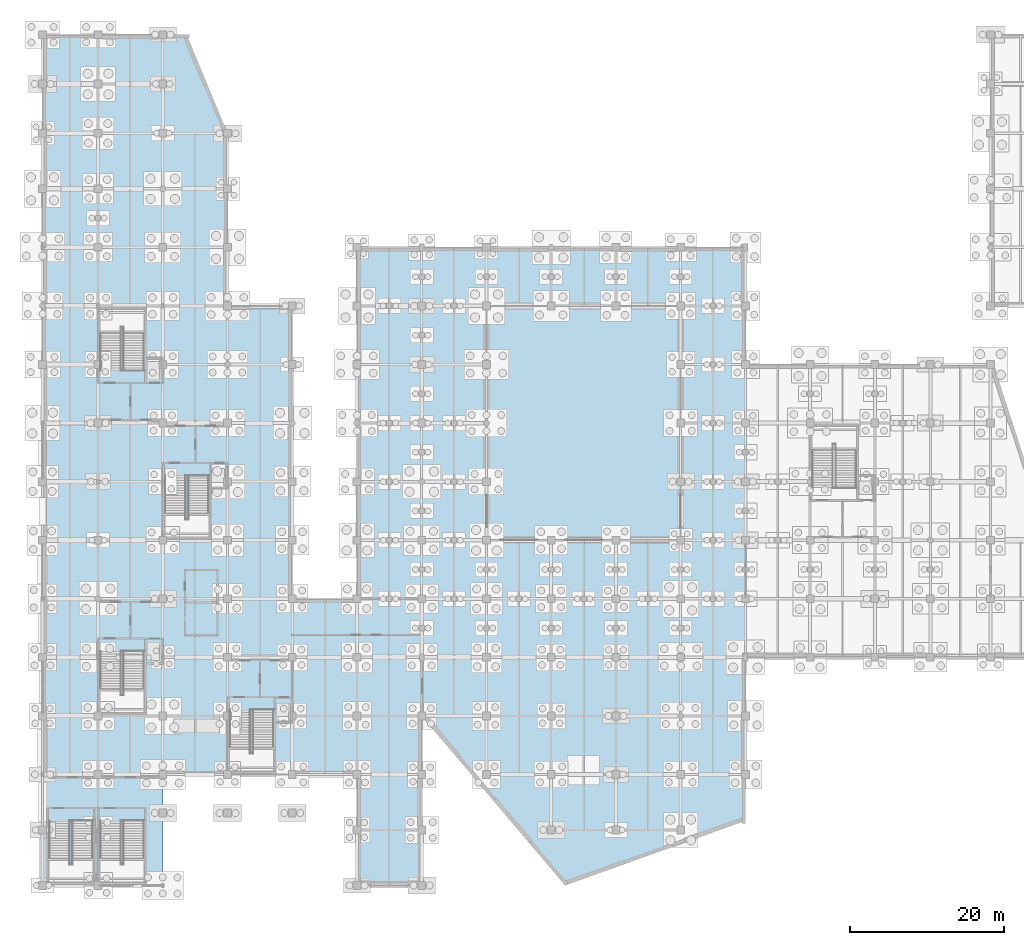
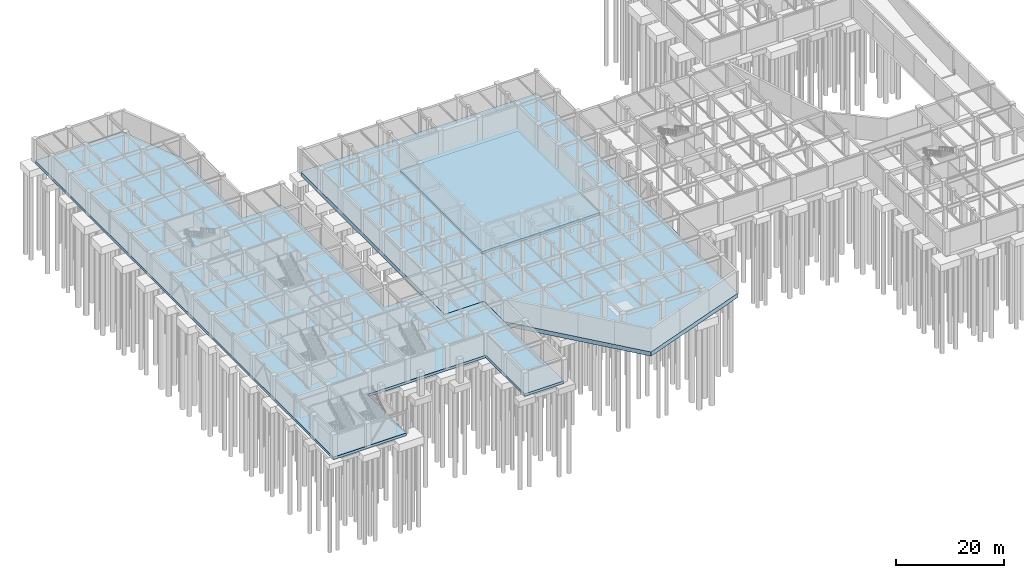
# One storey, part 32 of 52: 3 slabs.
"""IFC4 building model written with IfcOpenShell, lengths in metres."""

import ifcopenshell
import ifcopenshell.guid

model = None  # the IFC model being written
_history = None  # IfcOwnerHistory: only IFC2X3 demands one
_inside = {}  # id of a spatial element -> (the spatial element, [elements in it])
_under = {}  # id of a project, library or spatial element -> (it, [spatial elements below it])
_declared = {}  # id of a project -> (the project, [libraries it declares])
_typed = {}  # id of a type object -> (the type object, [elements of that type])
_made_of = {}  # id of a material, layer set ... -> (it, [elements and type objects made of it])


def new_model(schema):
    """Start an empty IFC model of exactly this schema.

    Asked for "IFC4X3", IfcOpenShell would pick the latest addendum, in which some entities
    have other attributes; the version numbers below select the first issue.
    IFC2X3 requires an IfcOwnerHistory on every rooted entity: one is made here for all.
    """
    global model, _history
    if schema == "IFC4X3":
        model = ifcopenshell.file(schema_version=(4, 3, 0, 0))
    else:
        model = ifcopenshell.file(schema=schema)
    _inside.clear()
    _under.clear()
    _declared.clear()
    _typed.clear()
    _made_of.clear()
    _history = None
    if model.schema == "IFC2X3":
        org = make("IfcOrganization", Name="unknown")
        user = make(
            "IfcPersonAndOrganization",
            ThePerson=make("IfcPerson", FamilyName="unknown"),
            TheOrganization=org,
        )
        app = make(
            "IfcApplication",
            ApplicationDeveloper=org,
            Version="unknown",
            ApplicationFullName="unknown",
            ApplicationIdentifier="unknown",
        )
        _history = make(
            "IfcOwnerHistory",
            OwningUser=user,
            OwningApplication=app,
            ChangeAction="ADDED",
            CreationDate=0,
        )
    return model


def make(cls, **values):
    """One entity of the class cls with the attributes given. An attribute that is None is left unset."""
    return model.create_entity(
        cls, **{name: value for name, value in values.items() if value is not None}
    )


def rooted(cls, **values):
    """An entity with a GlobalId (a new one), such as an element, a storey or a relation."""
    return make(cls, GlobalId=ifcopenshell.guid.new(), OwnerHistory=_history, **values)


def si_unit(unit_type, name, prefix=None):
    """IfcSIUnit, for example si_unit("LENGTHUNIT", "METRE", prefix="MILLI")."""
    return make("IfcSIUnit", UnitType=unit_type, Prefix=prefix, Name=name)


def assignment(units):
    """IfcUnitAssignment: the units of a project."""
    return None if units is None else make("IfcUnitAssignment", Units=units)


def point(xyz):
    """IfcCartesianPoint."""
    return None if xyz is None else make("IfcCartesianPoint", Coordinates=xyz)


def direction(xyz):
    """IfcDirection."""
    return None if xyz is None else make("IfcDirection", DirectionRatios=xyz)


def frame(location, z_axis=None, x_axis=None):
    """IfcAxis2Placement3D, a coordinate frame: its origin and axes. An axis left out is left unset."""
    return make(
        "IfcAxis2Placement3D",
        Location=point(location),
        Axis=direction(z_axis),
        RefDirection=direction(x_axis),
    )


def origin():
    """The frame at (0, 0, 0) with its axes left unset."""
    return frame((0.0, 0.0, 0.0))


def place(relative_to, where):
    """IfcLocalPlacement: puts the frame where relative to a parent placement (None: the world)."""
    return make(
        "IfcLocalPlacement", PlacementRelTo=relative_to, RelativePlacement=where
    )


def context(
    kind, dimensions, precision=None, world=None, true_north=None, identifier=None
):
    """IfcGeometricRepresentationContext, for example the 3D "Model" context."""
    return make(
        "IfcGeometricRepresentationContext",
        ContextIdentifier=identifier,
        ContextType=kind,
        CoordinateSpaceDimension=dimensions,
        Precision=precision,
        WorldCoordinateSystem=world,
        TrueNorth=true_north,
    )


def subcontext(parent, identifier, kind, view, scale=None):
    """IfcGeometricRepresentationSubContext, for example "Body" below "Model"."""
    return make(
        "IfcGeometricRepresentationSubContext",
        ContextIdentifier=identifier,
        ContextType=kind,
        ParentContext=parent,
        TargetScale=scale,
        TargetView=view,
    )


def project(units=None, contexts=None):
    """IfcProject with its units and contexts."""
    return rooted(
        "IfcProject",
        Name="project",
        RepresentationContexts=contexts,
        UnitsInContext=assignment(units),
    )


def spatial(cls, under=None, at=None, **own):
    """A site, building, storey or space (cls), placed at a placement, below another one or the project."""
    s = rooted(cls, ObjectPlacement=at, **own)
    if under is not None:
        _under.setdefault(under.id(), (under, []))[1].append(s)
    return s


def polyline(points):
    """IfcPolyline through the points."""
    return make("IfcPolyline", Points=[point(p) for p in points])


def outline(outer, holes=None, kind="AREA"):
    """IfcArbitraryClosedProfileDef: a profile drawn as a closed curve; with holes, ...WithVoids."""
    if holes is None:
        return make("IfcArbitraryClosedProfileDef", ProfileType=kind, OuterCurve=outer)
    return make(
        "IfcArbitraryProfileDefWithVoids",
        ProfileType=kind,
        OuterCurve=outer,
        InnerCurves=holes,
    )


def extrude(swept, where, along, depth):
    """IfcExtrudedAreaSolid: the profile swept, set in the frame where, extruded along a direction by depth."""
    return make(
        "IfcExtrudedAreaSolid",
        SweptArea=swept,
        Position=where,
        ExtrudedDirection=direction(along),
        Depth=depth,
    )


def shape(context_of_items, identifier, shape_type, items):
    """IfcShapeRepresentation: the items that make up one representation, for example the "Body"."""
    return make(
        "IfcShapeRepresentation",
        ContextOfItems=context_of_items,
        RepresentationIdentifier=identifier,
        RepresentationType=shape_type,
        Items=items,
    )


def material(Name=None, Category=None):
    """IfcMaterial."""
    return make("IfcMaterial", Name=Name, Category=Category)


def layer(
    of_material, thickness, ventilated=None, Name=None, Category=None, Priority=None
):
    """IfcMaterialLayer: one layer of a wall or slab, of a material (None: an air gap)."""
    return make(
        "IfcMaterialLayer",
        Material=of_material,
        LayerThickness=thickness,
        IsVentilated=ventilated,
        Name=Name,
        Category=Category,
        Priority=Priority,
    )


def layer_set(layers, Name=None):
    """IfcMaterialLayerSet."""
    return make("IfcMaterialLayerSet", MaterialLayers=layers, LayerSetName=Name)


def made_of(thing, what):
    """Note that an element or type object is made of a material, layer set ...; save() writes the relation."""
    if what is not None:
        _made_of.setdefault(what.id(), (what, []))[1].append(thing)
    return thing


def type_object(cls, material=None, **own):
    """A type object (cls), such as IfcWallType, which elements share."""
    return made_of(rooted(cls, **own), material)


def element(
    cls,
    number,
    at=None,
    inside=None,
    cuts=None,
    type_object=None,
    material=None,
    context=None,
    identifier="Body",
    shape_type=None,
    held_by="IfcProductDefinitionShape",
    body=None,
    shapes=None,
    **own,
):
    """One element of the class cls, such as IfcWall. Its Tag is "e" and its number.

    at: its placement. inside: the storey or other place that contains it. cuts: it is an
    opening in that element (IfcRelVoidsElement). A single representation is given by context,
    identifier, shape_type and body (its items); several are given by shapes. held_by: the class
    of the entity that holds the representations. save() writes the other relations.
    """
    e = rooted(cls, Tag="e%d" % number, ObjectPlacement=at, **own)
    if body is not None:
        shapes = [shape(context, identifier, shape_type, body)]
    if shapes is not None:
        e.Representation = make(held_by, Representations=shapes)
    if inside is not None:
        _inside.setdefault(inside.id(), (inside, []))[1].append(e)
    if cuts is not None:
        rooted(
            "IfcRelVoidsElement", RelatingBuildingElement=cuts, RelatedOpeningElement=e
        )
    if type_object is not None:
        _typed.setdefault(type_object.id(), (type_object, []))[1].append(e)
    return made_of(e, material)


def aggregate(whole, parts):
    """IfcRelAggregates: a whole, such as a stair, and the parts it consists of."""
    return rooted("IfcRelAggregates", RelatingObject=whole, RelatedObjects=parts)


def save(model, path):
    """Write the relations noted so far, then the file.

    IfcRelAggregates (storeys below a building ...), IfcRelContainedInSpatialStructure (elements
    in a storey), IfcRelDefinesByType, IfcRelAssociatesMaterial and IfcRelDeclares: one each for
    every whole, place, type object, material and project.
    """
    for whole, parts in _under.values():
        aggregate(whole, parts)
    for where, things in _inside.values():
        rooted(
            "IfcRelContainedInSpatialStructure",
            RelatedElements=things,
            RelatingStructure=where,
        )
    for kind, things in _typed.values():
        rooted("IfcRelDefinesByType", RelatedObjects=things, RelatingType=kind)
    for what, things in _made_of.values():
        rooted("IfcRelAssociatesMaterial", RelatedObjects=things, RelatingMaterial=what)
    for by, libraries in _declared.values():
        rooted("IfcRelDeclares", RelatingContext=by, RelatedDefinitions=libraries)
    model.write(path)


model = new_model("IFC4")

# Units and contexts
model_context = context("Model", 3, precision=1e-05, world=origin(), true_north=direction((0.0, 1.0)))
body_context = subcontext(model_context, "Body", "Model", "MODEL_VIEW")
ifc_project = project(units=[si_unit("LENGTHUNIT", "METRE"), si_unit("AREAUNIT", "SQUARE_METRE"), si_unit("VOLUMEUNIT", "CUBIC_METRE"), si_unit("PLANEANGLEUNIT", "RADIAN"), si_unit("MASSUNIT", "GRAM", prefix="KILO")], contexts=[model_context])

# Site, building, storey
site_placement = place(None, origin())
site = spatial("IfcSite", under=ifc_project, at=site_placement, CompositionType="ELEMENT")
building_placement = place(site_placement, origin())
building = spatial("IfcBuilding", under=site, at=building_placement, Name="Xicomal Pleat Aquarium", CompositionType="ELEMENT")
storey_placement = place(building_placement, frame((0.0, 0.0, -5.39990234375)))
storey = spatial("IfcBuildingStorey", under=building, at=storey_placement, Name="B1", CompositionType="ELEMENT", Elevation=-5.39990234375)

# Slabs
ifc_material_1 = material(Name="Concrete C40/50", Category="concrete")
ifc_layer_1 = layer(ifc_material_1, 0.60009765625)
ifc_layer_set_1 = layer_set([ifc_layer_1], Name="Concrete C40/50")
slab_type_1 = type_object("IfcSlabType", Name="SLB-MAT-600", PredefinedType="BASESLAB", material=ifc_layer_set_1)
slab_1_placement = place(storey_placement, frame((0.0, 0.0, -0.60009765625)))
element("IfcSlab", 1, at=slab_1_placement, inside=storey, type_object=slab_type_1, Name="B1 structural slab V6", PredefinedType="BASESLAB", context=body_context, shape_type="SweptSolid", body=[
    extrude(outline(polyline([(3.0, 111.199951171875), (21.699951171875, 111.199951171875), (27.0, 98.39990234375), (27.0, 76.0), (35.39990234375, 76.0), (35.39990234375, 38.0), (43.800048828125, 38.0), (43.800048828125, 30.39990234375), (52.199951171875, 30.39990234375), (52.199951171875, 0.800048828125), (43.800048828125, 0.800048828125), (43.800048828125, 15.199951171875), (18.60009765625, 15.199951171875), (18.60009765625, 0.800048828125), (3.0, 0.800048828125), (3.0, 111.199951171875)])), origin(), (0.0, 0.0, 1.0), 0.60009765625),
])
slab_2_placement = place(storey_placement, frame((0.0, 0.0, -1.550048828125)))
element("IfcSlab", 2, at=slab_2_placement, inside=storey, type_object=slab_type_1, Name="Main ocean basin thickened mat foundation", PredefinedType="BASESLAB", context=body_context, shape_type="SweptSolid", body=[
    extrude(outline(polyline([(60.60009765625, 45.60009765625), (85.800048828125, 45.60009765625), (85.800048828125, 76.0), (60.60009765625, 76.0), (60.60009765625, 45.60009765625)])), origin(), (0.0, 0.0, 1.0), 0.599853515625),
])
ifc_material_2 = material(Name="Concrete C45/55", Category="concrete")
ifc_layer_2 = layer(ifc_material_2, 0.949951171875)
ifc_layer_set_2 = layer_set([ifc_layer_2], Name="Concrete C45/55")
slab_type_2 = type_object("IfcSlabType", Name="SLB-MAT-950", PredefinedType="BASESLAB", material=ifc_layer_set_2)
slab_3_placement = place(storey_placement, frame((0.0, 0.0, -0.9501953125)))
element("IfcSlab", 3, at=slab_3_placement, inside=storey, type_object=slab_type_2, Name="B1 structural slab V1", PredefinedType="BASESLAB", context=body_context, shape_type="SweptSolid", body=[
    extrude(outline(polyline([(43.800048828125, 30.39990234375), (43.800048828125, 38.0), (43.800048828125, 83.60009765625), (94.199951171875, 83.60009765625), (94.199951171875, 9.199951171875), (70.800048828125, 0.800048828125), (52.199951171875, 22.800048828125), (52.199951171875, 30.39990234375), (43.800048828125, 30.39990234375)])), origin(), (0.0, 0.0, 1.0), 0.9501953125),
])

save(model, "model.ifc")
